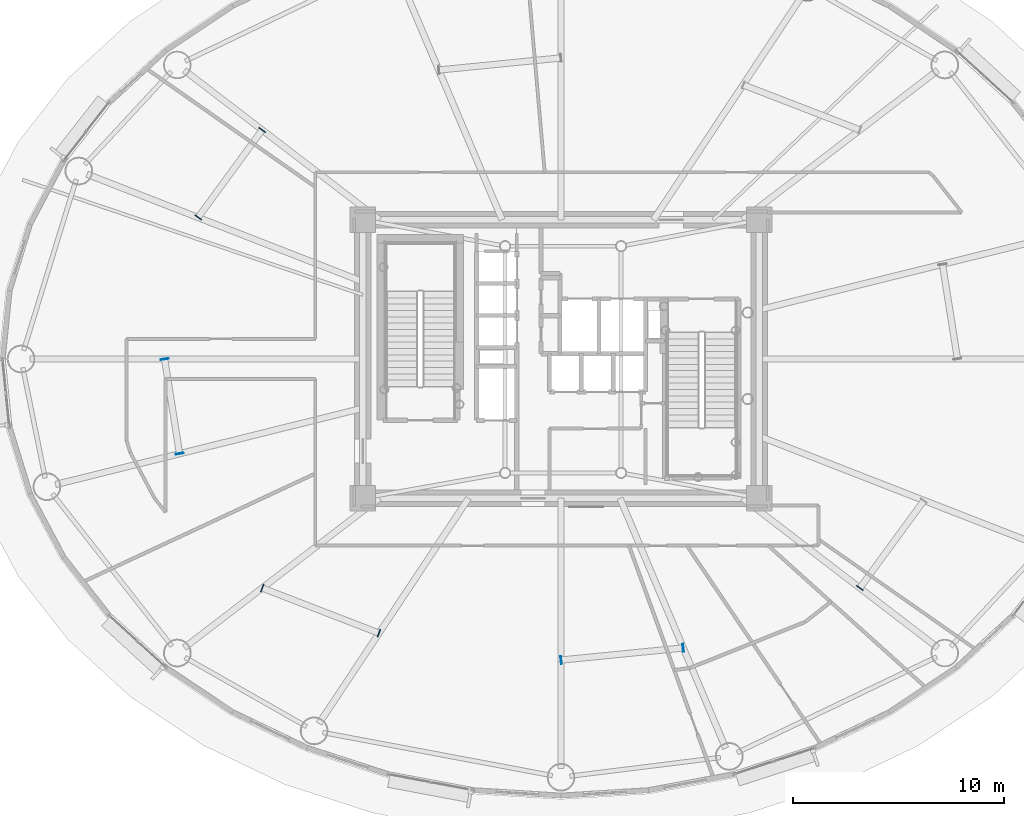
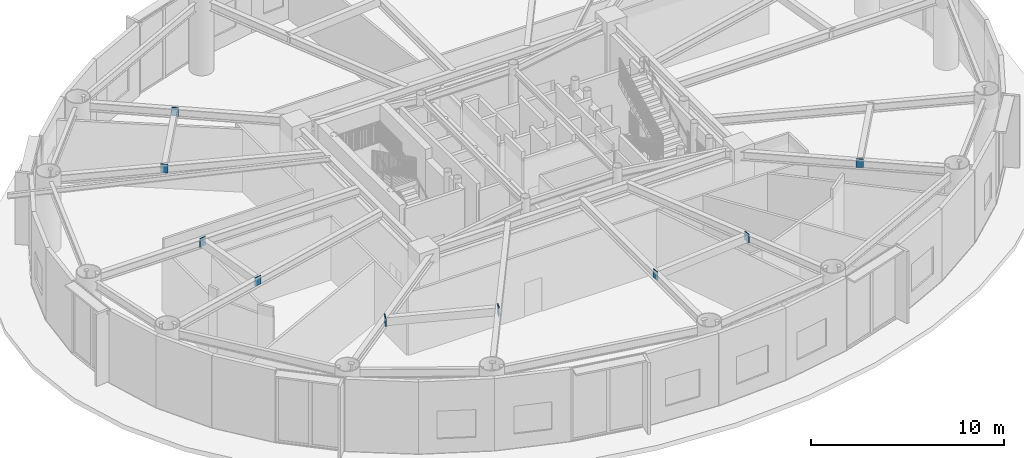
# One storey, part 25 of 38: 9 plates.
"""IFC4 building model written with IfcOpenShell, lengths in metres."""

from ifc_helpers import new_model, si_unit, direction, frame, origin, origin_2d, place, context, subcontext, project, spatial, rectangle, extrude, source, transform, mapped, material, layer, layer_set, type_object, element, save


model = new_model("IFC4")

# Units and contexts
model_context = context("Model", 3, precision=1e-05, world=origin(), true_north=direction((0.0, 1.0)))
body_context = subcontext(model_context, "Body", "Model", "MODEL_VIEW")
ifc_project = project(units=[si_unit("LENGTHUNIT", "METRE"), si_unit("AREAUNIT", "SQUARE_METRE"), si_unit("VOLUMEUNIT", "CUBIC_METRE"), si_unit("PLANEANGLEUNIT", "RADIAN"), si_unit("MASSUNIT", "GRAM", prefix="KILO")], contexts=[model_context])

# Site, building, storey
site_placement = place(None, origin())
site = spatial("IfcSite", under=ifc_project, at=site_placement, CompositionType="ELEMENT")
building_placement = place(site_placement, origin())
building = spatial("IfcBuilding", under=site, at=building_placement, Name="Linh Dai School and Residence Tower", CompositionType="ELEMENT")
storey_placement = place(building_placement, frame((0.0, 0.0, 151.35009765625)))
storey = spatial("IfcBuildingStorey", under=building, at=storey_placement, Name="L36", CompositionType="ELEMENT", Elevation=151.35009765625)

# Plates
ifc_material = material(Name="Structural Steel S355JR", Category="steel")
ifc_layer = layer(ifc_material, 0.0400390625)
ifc_layer_set = layer_set([ifc_layer], Name="Structural Steel S355JR")
plate_type = type_object("IfcPlateType", Name="PLT-GP1", PredefinedType="USERDEFINED", material=ifc_layer_set)
shared_shape = source(origin(), body_context, "Body", "SweptSolid", [
    extrude(rectangle(XDim=0.0400390625, YDim=0.3798828125, at=origin_2d()), origin(), (0.0, 0.0, 1.0), 0.5400390625),
])
for number, where, z_axis, x_axis, name in (
    (1, (21.828125, 37.854248046875, 4.02978515625), (0.0, 0.0, 1.0), (-0.590797317165, -0.806820010926, 0.0), "L36 Secondary Beam End Plate 04A"),
    (2, (18.794677734375, 33.71142578125, 4.02978515625), (0.0, 0.0, 1.0), (-0.590797317165, -0.806820010926, 0.0), "L36 Secondary Beam End Plate 04B"),
    (3, (17.204833984375, 26.9951171875, 4.02978515625), (0.0, 0.0, 1.0), (0.156309354655, -0.987708148011, 0.0), "L36 Secondary Beam End Plate 05A"),
    (4, (17.9140625, 22.513427734375, 4.02978515625), (0.0, 0.0, 1.0), (0.156309354655, -0.987708148011, 0.0), "L36 Secondary Beam End Plate 05B"),
    (5, (21.8359375, 16.139892578125, 4.02978515625), (0.0, 0.0, 1.0), (0.932822787929, -0.36033546359, 0.0), "L36 Secondary Beam End Plate 06A"),
    (6, (27.36572265625, 14.00390625, 4.02978515625), (0.0, 0.0, 1.0), (0.932822787929, -0.36033546359, 0.0), "L36 Secondary Beam End Plate 06B"),
    (7, (36.0048828125, 12.72705078125, 4.02978515625), (0.0, 0.0, 1.0), (0.995144649372, 0.098423202682, 0.0), "L36 Secondary Beam End Plate 07A"),
    (8, (41.79248046875, 13.299560546875, 4.02978515625), (0.0, 0.0, 1.0), (0.995144649372, 0.098423202682, 0.0), "L36 Secondary Beam End Plate 07B"),
    (9, (50.171875, 16.145751953125, 4.02978515625), (0.0, 0.0, 1.0), (0.590797317165, 0.806820010926, 0.0), "L36 Secondary Beam End Plate 08A"),
):
    element("IfcPlate", number, at=place(storey_placement, frame(where, z_axis=z_axis, x_axis=x_axis)), inside=storey, type_object=plate_type, Name=name, ObjectType="GUSSET PLATE", PredefinedType="USERDEFINED", context=body_context, shape_type="MappedRepresentation", body=[
        mapped(shared_shape, transform((0.0, 0.0, 0.0), x_axis=(1.0, 0.0, 0.0), y_axis=(0.0, 1.0, 0.0), z_axis=(0.0, 0.0, 1.0), scale=1.0)),
    ])

save(model, "model.ifc")
